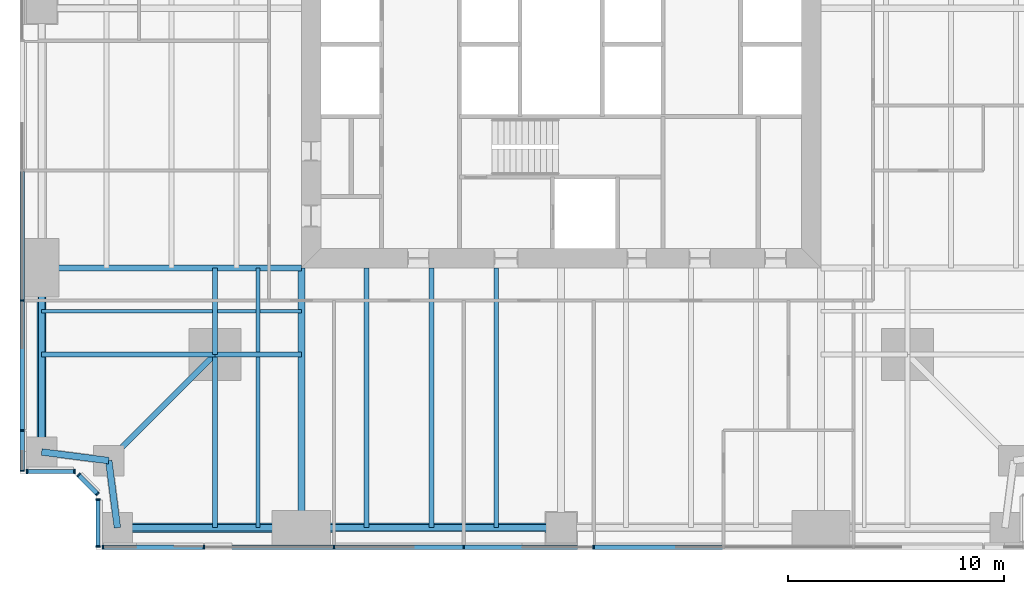
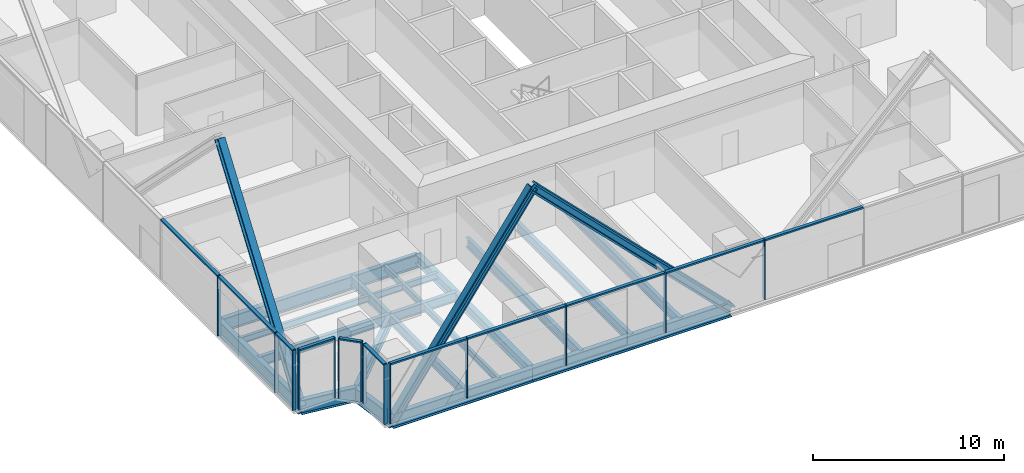
# One storey, part 2 of 13: 28 members, 20 beams, 5 elements without a shape of their own.
"""IFC4 building model written with IfcOpenShell, lengths in metres."""

from ifc_helpers import new_model, si_unit, direction, frame, origin, origin_2d, place, context, subcontext, project, spatial, rectangle, i_section, extrude, material, material_profile, profile_set, type_object, element, aggregate, save


model = new_model("IFC4")

# Units and contexts
model_context = context("Model", 3, precision=1e-05, world=origin(), true_north=direction((0.0, 1.0)))
body_context = subcontext(model_context, "Body", "Model", "MODEL_VIEW")
ifc_project = project(units=[si_unit("LENGTHUNIT", "METRE"), si_unit("AREAUNIT", "SQUARE_METRE"), si_unit("VOLUMEUNIT", "CUBIC_METRE"), si_unit("PLANEANGLEUNIT", "RADIAN"), si_unit("MASSUNIT", "GRAM", prefix="KILO")], contexts=[model_context])

# Site, building, storey
site_placement = place(None, origin())
site = spatial("IfcSite", under=ifc_project, at=site_placement, CompositionType="ELEMENT")
building_placement = place(site_placement, origin())
building = spatial("IfcBuilding", under=site, at=building_placement, Name="Fenwick Lantern Interchange", CompositionType="ELEMENT")
storey_placement = place(building_placement, frame((0.0, 0.0, 67.0)))
storey = spatial("IfcBuildingStorey", under=building, at=storey_placement, Name="L15", CompositionType="ELEMENT", Elevation=67.0)

# Beams
ifc_material_1 = material(Name="Steel ASTM A992 Grade 50", Category="steel")
ifc_material_profile_1 = material_profile(ifc_material_1, i_section(OverallWidth=0.3046875, OverallDepth=0.911865234375, WebThickness=0.015869140625, FlangeThickness=0.02392578125, at=origin_2d()), Name="W36X150")
ifc_profile_set_1 = profile_set([ifc_material_profile_1], Name="Steel ASTM A992 Grade 50")
beam_type_1 = type_object("IfcBeamType", Name="EDGE BEAM W36X150", PredefinedType="SPANDREL", material=ifc_profile_set_1)
beam_1_placement = place(storey_placement, frame((4.5, 1.0, -0.60595703125), z_axis=(1.0, 0.0, 0.0), x_axis=(0.0, 1.0, 0.0)))
element("IfcBeam", 1, at=beam_1_placement, inside=storey, type_object=beam_type_1, Name="L15/FR/S/EB1", PredefinedType="SPANDREL", context=body_context, shape_type="SweptSolid", body=[
    extrude(i_section(OverallWidth=0.3046875, OverallDepth=0.911865234375, WebThickness=0.015869140625, FlangeThickness=0.02392578125, at=origin_2d()), origin(), (0.0, 0.0, 1.0), 8.5),
])
beam_2_placement = place(storey_placement, frame((13.0, 1.0, -0.60595703125), z_axis=(1.0, 0.0, 0.0), x_axis=(0.0, 1.0, 0.0)))
element("IfcBeam", 2, at=beam_2_placement, inside=storey, type_object=beam_type_1, Name="L15/FR/S/EB2", PredefinedType="SPANDREL", context=body_context, shape_type="SweptSolid", body=[
    extrude(i_section(OverallWidth=0.3046875, OverallDepth=0.911865234375, WebThickness=0.015869140625, FlangeThickness=0.02392578125, at=origin_2d()), origin(), (0.0, 0.0, 1.0), 12.0),
])
beam_3_placement = place(storey_placement, frame((1.0, 13.0, -0.60595703125), z_axis=(0.0, -1.0, 0.0), x_axis=(1.0, 0.0, 0.0)))
element("IfcBeam", 3, at=beam_3_placement, inside=storey, type_object=beam_type_1, Name="L15/FR/W/EB4", PredefinedType="SPANDREL", context=body_context, shape_type="SweptSolid", body=[
    extrude(i_section(OverallWidth=0.3046875, OverallDepth=0.911865234375, WebThickness=0.015869140625, FlangeThickness=0.02392578125, at=origin_2d()), origin(), (0.0, 0.0, 1.0), 8.5),
])
for number, where, z_axis, x_axis, name in (
    (4, (1.0, 4.5, -0.60595703125), (0.991782342897, -0.127936641807, 0.0), (0.127936641807, 0.991782342897, 0.0), "L15/FR/W/EBR1"),
    (5, (4.10009765625, 4.10009765625, -0.60595703125), (0.127936641807, -0.991782342897, 0.0), (0.991782342897, 0.127936641807, 0.0), "L15/FR/W/EBR2"),
):
    element("IfcBeam", number, at=place(storey_placement, frame(where, z_axis=z_axis, x_axis=x_axis)), inside=storey, type_object=beam_type_1, Name=name, PredefinedType="SPANDREL", context=body_context, shape_type="SweptSolid", body=[
        extrude(i_section(OverallWidth=0.3046875, OverallDepth=0.911865234375, WebThickness=0.015869140625, FlangeThickness=0.02392578125, at=origin_2d()), origin(), (0.0, 0.0, 1.0), 3.125732421875),
    ])

# Members
ifc_material_profile_2 = material_profile(ifc_material_1, i_section(OverallWidth=0.424072265625, OverallDepth=0.47509765625, WebThickness=0.0478515625, FlangeThickness=0.0771484375, at=origin_2d()), Name="W14X426")
ifc_profile_set_2 = profile_set([ifc_material_profile_2], Name="Steel ASTM A992 Grade 50")
member_type_1 = type_object("IfcMemberType", Name="FACADE BRACE W14X426", PredefinedType="BRACE", material=ifc_profile_set_2)
for number, where, z_axis, x_axis, name in (
    (6, (4.5, 1.0, -0.60595703125), (0.57801734078, 0.0, 0.816024481102), (0.0, 1.0, 0.0), "L15/FB/S/AE"),
    (7, (1.0, 4.5, -0.60595703125), (0.0, 0.57801734078, 0.816024481102), (-1.0, 0.0, 0.0), "L15/FB/W/BE"),
):
    element("IfcMember", number, at=place(storey_placement, frame(where, z_axis=z_axis, x_axis=x_axis)), inside=storey, type_object=member_type_1, Name=name, PredefinedType="BRACE", context=body_context, shape_type="SweptSolid", body=[
        extrude(i_section(OverallWidth=0.424072265625, OverallDepth=0.47509765625, WebThickness=0.0478515625, FlangeThickness=0.0771484375, at=origin_2d()), origin(), (0.0, 0.0, 1.0), 14.705322265625),
    ])
ifc_material_profile_3 = material_profile(ifc_material_1, i_section(OverallWidth=0.44189453125, OverallDepth=0.53076171875, WebThickness=0.06591796875, FlangeThickness=0.105712890625, at=origin_2d()), Name="W14X605")
ifc_profile_set_3 = profile_set([ifc_material_profile_3], Name="Steel ASTM A992 Grade 50")
member_type_2 = type_object("IfcMemberType", Name="FACADE BRACE W14X605", PredefinedType="BRACE", material=ifc_profile_set_3)
member_1_placement = place(storey_placement, frame((25.0, 1.0, -0.60595703125), z_axis=(-0.707106781187, 0.0, 0.707106781187), x_axis=(0.0, -1.0, 0.0)))
element("IfcMember", 8, at=member_1_placement, inside=storey, type_object=member_type_2, Name="L15/FB/S/A", PredefinedType="BRACE", context=body_context, shape_type="SweptSolid", body=[
    extrude(i_section(OverallWidth=0.44189453125, OverallDepth=0.53076171875, WebThickness=0.06591796875, FlangeThickness=0.105712890625, at=origin_2d()), origin(), (0.0, 0.0, 1.0), 16.970458984375),
])

# Beams
ifc_material_profile_4 = material_profile(ifc_material_1, i_section(OverallWidth=0.22900390625, OverallDepth=0.612060546875, WebThickness=0.011962890625, FlangeThickness=0.01953125, at=origin_2d()), Name="W24X84")
ifc_profile_set_4 = profile_set([ifc_material_profile_4], Name="Steel ASTM A992 Grade 50")
beam_type_2 = type_object("IfcBeamType", Name="FLOOR BEAM W24X84", PredefinedType="BEAM", material=ifc_profile_set_4)
for number, where, z_axis, x_axis, name in (
    (9, (16.0, 1.0, -0.4560546875), (0.0, 1.0, 0.0), (-1.0, 0.0, 0.0), "L15/FR/S/R02"),
    (10, (19.0, 1.0, -0.4560546875), (0.0, 1.0, 0.0), (-1.0, 0.0, 0.0), "L15/FR/S/R03"),
    (11, (22.0, 1.0, -0.4560546875), (0.0, 1.0, 0.0), (-1.0, 0.0, 0.0), "L15/FR/S/R04"),
):
    element("IfcBeam", number, at=place(storey_placement, frame(where, z_axis=z_axis, x_axis=x_axis)), inside=storey, type_object=beam_type_2, Name=name, PredefinedType="BEAM", context=body_context, shape_type="SweptSolid", body=[
        extrude(i_section(OverallWidth=0.22900390625, OverallDepth=0.612060546875, WebThickness=0.011962890625, FlangeThickness=0.01953125, at=origin_2d()), origin(), (0.0, 0.0, 1.0), 12.0),
    ])
ifc_material_profile_5 = material_profile(ifc_material_1, i_section(OverallWidth=0.177734375, OverallDepth=0.406494140625, WebThickness=0.0078125, FlangeThickness=0.012939453125, at=origin_2d()), Name="W16X40")
ifc_profile_set_5 = profile_set([ifc_material_profile_5], Name="Steel ASTM A992 Grade 50")
beam_type_3 = type_object("IfcBeamType", Name="INFILL BEAM W16X40", PredefinedType="JOIST", material=ifc_profile_set_5)
beam_4_placement = place(storey_placement, frame((11.0, 1.0, -0.353271484375), z_axis=(0.0, 1.0, 0.0), x_axis=(-1.0, 0.0, 0.0)))
element("IfcBeam", 12, at=beam_4_placement, inside=storey, type_object=beam_type_3, Name="L15/FR/S/J1", PredefinedType="JOIST", context=body_context, shape_type="SweptSolid", body=[
    extrude(i_section(OverallWidth=0.177734375, OverallDepth=0.406494140625, WebThickness=0.0078125, FlangeThickness=0.012939453125, at=origin_2d()), origin(), (0.0, 0.0, 1.0), 7.885498046875),
])
beam_5_placement = place(storey_placement, frame((11.0, 9.114501953125, -0.353271484375), z_axis=(0.0, 1.0, 0.0), x_axis=(-1.0, 0.0, 0.0)))
element("IfcBeam", 13, at=beam_5_placement, inside=storey, type_object=beam_type_3, Name="L15/FR/S/J2", PredefinedType="JOIST", context=body_context, shape_type="SweptSolid", body=[
    extrude(i_section(OverallWidth=0.177734375, OverallDepth=0.406494140625, WebThickness=0.0078125, FlangeThickness=0.012939453125, at=origin_2d()), origin(), (0.0, 0.0, 1.0), 3.885498046875),
])
beam_6_placement = place(storey_placement, frame((1.0, 11.0, -0.353271484375), z_axis=(1.0, 0.0, 0.0), x_axis=(0.0, 1.0, 0.0)))
element("IfcBeam", 14, at=beam_6_placement, inside=storey, type_object=beam_type_3, Name="L15/FR/S/J3", PredefinedType="JOIST", context=body_context, shape_type="SweptSolid", body=[
    extrude(i_section(OverallWidth=0.177734375, OverallDepth=0.406494140625, WebThickness=0.0078125, FlangeThickness=0.012939453125, at=origin_2d()), origin(), (0.0, 0.0, 1.0), 7.885498046875),
])
beam_7_placement = place(storey_placement, frame((9.114501953125, 11.0, -0.353271484375), z_axis=(1.0, 0.0, 0.0), x_axis=(0.0, 1.0, 0.0)))
element("IfcBeam", 15, at=beam_7_placement, inside=storey, type_object=beam_type_3, Name="L15/FR/S/J4", PredefinedType="JOIST", context=body_context, shape_type="SweptSolid", body=[
    extrude(i_section(OverallWidth=0.177734375, OverallDepth=0.406494140625, WebThickness=0.0078125, FlangeThickness=0.012939453125, at=origin_2d()), origin(), (0.0, 0.0, 1.0), 1.796630859375),
])
beam_8_placement = place(storey_placement, frame((11.0888671875, 11.0, -0.353271484375), z_axis=(1.0, 0.0, 0.0), x_axis=(0.0, 1.0, 0.0)))
element("IfcBeam", 16, at=beam_8_placement, inside=storey, type_object=beam_type_3, Name="L15/FR/S/J5", PredefinedType="JOIST", context=body_context, shape_type="SweptSolid", body=[
    extrude(i_section(OverallWidth=0.177734375, OverallDepth=0.406494140625, WebThickness=0.0078125, FlangeThickness=0.012939453125, at=origin_2d()), origin(), (0.0, 0.0, 1.0), 1.9111328125),
])
ifc_material_profile_6 = material_profile(ifc_material_1, i_section(OverallWidth=0.22900390625, OverallDepth=0.612060546875, WebThickness=0.011962890625, FlangeThickness=0.01953125, at=origin_2d()), Name="W24X84")
ifc_profile_set_6 = profile_set([ifc_material_profile_6], Name="Steel ASTM A992 Grade 50")
beam_type_4 = type_object("IfcBeamType", Name="MEGA COLUMN BEAM W24X84", PredefinedType="BEAM", material=ifc_profile_set_6)
for number, where, z_axis, x_axis, name in (
    (17, (9.0, 9.0, -0.4560546875), (0.0, -1.0, 0.0), (1.0, 0.0, 0.0), "L15/FR/S/MB1"),
    (18, (9.0, 9.0, -0.4560546875), (-1.0, 0.0, 0.0), (0.0, -1.0, 0.0), "L15/FR/S/MB2"),
):
    element("IfcBeam", number, at=place(storey_placement, frame(where, z_axis=z_axis, x_axis=x_axis)), inside=storey, type_object=beam_type_4, Name=name, PredefinedType="BEAM", context=body_context, shape_type="SweptSolid", body=[
        extrude(i_section(OverallWidth=0.22900390625, OverallDepth=0.612060546875, WebThickness=0.011962890625, FlangeThickness=0.01953125, at=origin_2d()), origin(), (0.0, 0.0, 1.0), 8.0),
    ])
for number, where, z_axis, x_axis, name in (
    (19, (9.0, 9.0, -0.4560546875), (1.0, 0.0, 0.0), (0.0, 1.0, 0.0), "L15/FR/S/MB3"),
    (20, (9.0, 9.0, -0.4560546875), (0.0, 1.0, 0.0), (-1.0, 0.0, 0.0), "L15/FR/S/MB4"),
):
    element("IfcBeam", number, at=place(storey_placement, frame(where, z_axis=z_axis, x_axis=x_axis)), inside=storey, type_object=beam_type_4, Name=name, PredefinedType="BEAM", context=body_context, shape_type="SweptSolid", body=[
        extrude(i_section(OverallWidth=0.22900390625, OverallDepth=0.612060546875, WebThickness=0.011962890625, FlangeThickness=0.01953125, at=origin_2d()), origin(), (0.0, 0.0, 1.0), 4.0),
    ])
ifc_material_profile_7 = material_profile(ifc_material_1, i_section(OverallWidth=0.32763671875, OverallDepth=0.622314453125, WebThickness=0.015380859375, FlangeThickness=0.0244140625, at=origin_2d()), Name="W24X131")
ifc_profile_set_7 = profile_set([ifc_material_profile_7], Name="Steel ASTM A992 Grade 50")
beam_type_5 = type_object("IfcBeamType", Name="MOMENT-CONNECTED GIRDER W24X131", PredefinedType="BEAM", material=ifc_profile_set_7)
beam_9_placement = place(storey_placement, frame((13.0, 1.0, -0.461181640625), z_axis=(0.0, 1.0, 0.0), x_axis=(-1.0, 0.0, 0.0)))
element("IfcBeam", 21, at=beam_9_placement, inside=storey, type_object=beam_type_5, Name="L15/FR/S/R01", PredefinedType="BEAM", context=body_context, shape_type="SweptSolid", body=[
    extrude(i_section(OverallWidth=0.32763671875, OverallDepth=0.622314453125, WebThickness=0.015380859375, FlangeThickness=0.0244140625, at=origin_2d()), origin(), (0.0, 0.0, 1.0), 12.0),
])
ifc_material_profile_8 = material_profile(ifc_material_1, i_section(OverallWidth=0.2919921875, OverallDepth=0.845703125, WebThickness=0.015380859375, FlangeThickness=0.0244140625, at=origin_2d()), Name="W33X141")
ifc_profile_set_8 = profile_set([ifc_material_profile_8], Name="Steel ASTM A992 Grade 50")
beam_type_6 = type_object("IfcBeamType", Name="MOMENT-CONNECTED GIRDER W33X141", PredefinedType="BEAM", material=ifc_profile_set_8)
beam_10_placement = place(storey_placement, frame((1.0, 13.0, -0.572998046875), z_axis=(1.0, 0.0, 0.0), x_axis=(0.0, 1.0, 0.0)))
element("IfcBeam", 22, at=beam_10_placement, inside=storey, type_object=beam_type_6, Name="L15/FR/W/R03", PredefinedType="BEAM", context=body_context, shape_type="SweptSolid", body=[
    extrude(i_section(OverallWidth=0.2919921875, OverallDepth=0.845703125, WebThickness=0.015380859375, FlangeThickness=0.0244140625, at=origin_2d()), origin(), (0.0, 0.0, 1.0), 12.0),
])
ifc_material_profile_9 = material_profile(ifc_material_1, i_section(OverallWidth=0.2666015625, OverallDepth=0.7568359375, WebThickness=0.013916015625, FlangeThickness=0.019287109375, at=origin_2d()), Name="W30X108")
ifc_profile_set_9 = profile_set([ifc_material_profile_9], Name="Steel ASTM A992 Grade 50")
beam_type_7 = type_object("IfcBeamType", Name="NOTCH BEAM W30X108", PredefinedType="BEAM", material=ifc_profile_set_9)
beam_11_placement = place(storey_placement, frame((9.0, 9.0, -0.528564453125), z_axis=(-0.707106781187, -0.707106781187, 0.0), x_axis=(0.707106781187, -0.707106781187, 0.0)))
element("IfcBeam", 23, at=beam_11_placement, inside=storey, type_object=beam_type_7, Name="L15/FR/S/TG", PredefinedType="BEAM", context=body_context, shape_type="SweptSolid", body=[
    extrude(i_section(OverallWidth=0.2666015625, OverallDepth=0.7568359375, WebThickness=0.013916015625, FlangeThickness=0.019287109375, at=origin_2d()), origin(), (0.0, 0.0, 1.0), 6.929443359375),
])

# Curtain wall, members
ifc_material_2 = material(Name="Aluminium curtain wall frame", Category="aluminium")
curtain_wall_type = type_object("IfcCurtainWallType", Name="OFFICE CURTAIN WALL", PredefinedType="USERDEFINED", material=ifc_material_2)
curtain_wall_1_placement = place(storey_placement, origin())
curtain_wall_1 = element("IfcCurtainWall", 24, at=curtain_wall_1_placement, inside=storey, type_object=curtain_wall_type, Name="Office curtain wall 01", ObjectType="OFFICE CURTAIN WALL", PredefinedType="USERDEFINED")
ifc_material_3 = material(Name="Aluminium extrusion", Category="aluminium")
ifc_material_profile_10 = material_profile(ifc_material_3, rectangle(XDim=0.199951171875, YDim=0.06494140625, at=origin_2d()), Name="OFFICE CURTAIN WALL MULLION 65 X 200")
ifc_profile_set_10 = profile_set([ifc_material_profile_10], Name="Aluminium extrusion")
member_type_3 = type_object("IfcMemberType", Name="OFFICE CURTAIN WALL MULLION 65 X 200", PredefinedType="MULLION", material=ifc_profile_set_10)
member_2_placement = place(storey_placement, frame((3.83251953125, 0.10009765625, 0.0), z_axis=(0.0, 0.0, 1.0), x_axis=(0.0, 1.0, 0.0)))
member_2 = element("IfcMember", 25, at=member_2_placement, type_object=member_type_3, Name="L15/CW/01/M00", PredefinedType="MULLION", context=body_context, shape_type="SweptSolid", body=[
    extrude(rectangle(XDim=0.199951171875, YDim=0.06494140625, at=origin_2d()), origin(), (0.0, 0.0, 1.0), 3.85009765625),
])
member_3_placement = place(storey_placement, frame((8.5, 0.10009765625, 0.0), z_axis=(0.0, 0.0, 1.0), x_axis=(0.0, 1.0, 0.0)))
member_3 = element("IfcMember", 26, at=member_3_placement, type_object=member_type_3, Name="L15/CW/01/M01", PredefinedType="MULLION", context=body_context, shape_type="SweptSolid", body=[
    extrude(rectangle(XDim=0.199951171875, YDim=0.06494140625, at=origin_2d()), origin(), (0.0, 0.0, 1.0), 3.85009765625),
])
member_4_placement = place(storey_placement, frame((14.5, 0.10009765625, 0.0), z_axis=(0.0, 0.0, 1.0), x_axis=(0.0, 1.0, 0.0)))
member_4 = element("IfcMember", 27, at=member_4_placement, type_object=member_type_3, Name="L15/CW/01/M02", PredefinedType="MULLION", context=body_context, shape_type="SweptSolid", body=[
    extrude(rectangle(XDim=0.199951171875, YDim=0.06494140625, at=origin_2d()), origin(), (0.0, 0.0, 1.0), 3.85009765625),
])
member_5_placement = place(storey_placement, frame((20.5, 0.10009765625, 0.0), z_axis=(0.0, 0.0, 1.0), x_axis=(0.0, 1.0, 0.0)))
member_5 = element("IfcMember", 28, at=member_5_placement, type_object=member_type_3, Name="L15/CW/01/M03", PredefinedType="MULLION", context=body_context, shape_type="SweptSolid", body=[
    extrude(rectangle(XDim=0.199951171875, YDim=0.06494140625, at=origin_2d()), origin(), (0.0, 0.0, 1.0), 3.85009765625),
])
member_6_placement = place(storey_placement, frame((26.5, 0.10009765625, 0.0), z_axis=(0.0, 0.0, 1.0), x_axis=(0.0, 1.0, 0.0)))
member_6 = element("IfcMember", 29, at=member_6_placement, type_object=member_type_3, Name="L15/CW/01/M04", PredefinedType="MULLION", context=body_context, shape_type="SweptSolid", body=[
    extrude(rectangle(XDim=0.199951171875, YDim=0.06494140625, at=origin_2d()), origin(), (0.0, 0.0, 1.0), 3.85009765625),
])

curtain_wall_2_placement = place(storey_placement, origin())
curtain_wall_2 = element("IfcCurtainWall", 30, at=curtain_wall_2_placement, inside=storey, type_object=curtain_wall_type, Name="Office curtain wall 13", ObjectType="OFFICE CURTAIN WALL", PredefinedType="USERDEFINED")
member_7_placement = place(storey_placement, frame((0.10009765625, 11.5, 0.0), z_axis=(0.0, 0.0, 1.0), x_axis=(1.0, 0.0, 0.0)))
member_7 = element("IfcMember", 31, at=member_7_placement, type_object=member_type_3, Name="L15/CW/13/M06", PredefinedType="MULLION", context=body_context, shape_type="SweptSolid", body=[
    extrude(rectangle(XDim=0.199951171875, YDim=0.06494140625, at=origin_2d()), origin(), (0.0, 0.0, 1.0), 3.85009765625),
])
member_8_placement = place(storey_placement, frame((0.10009765625, 5.5, 0.0), z_axis=(0.0, 0.0, 1.0), x_axis=(1.0, 0.0, 0.0)))
member_8 = element("IfcMember", 32, at=member_8_placement, type_object=member_type_3, Name="L15/CW/13/M07", PredefinedType="MULLION", context=body_context, shape_type="SweptSolid", body=[
    extrude(rectangle(XDim=0.199951171875, YDim=0.06494140625, at=origin_2d()), origin(), (0.0, 0.0, 1.0), 3.85009765625),
])
member_9_placement = place(storey_placement, frame((0.10009765625, 3.632568359375, 0.0), z_axis=(0.0, 0.0, 1.0), x_axis=(1.0, 0.0, 0.0)))
member_9 = element("IfcMember", 33, at=member_9_placement, type_object=member_type_3, Name="L15/CW/13/M08", PredefinedType="MULLION", context=body_context, shape_type="SweptSolid", body=[
    extrude(rectangle(XDim=0.199951171875, YDim=0.06494140625, at=origin_2d()), origin(), (0.0, 0.0, 1.0), 3.85009765625),
])

curtain_wall_3_placement = place(storey_placement, origin())
curtain_wall_3 = element("IfcCurtainWall", 34, at=curtain_wall_3_placement, inside=storey, type_object=curtain_wall_type, Name="Office curtain wall 14", ObjectType="OFFICE CURTAIN WALL", PredefinedType="USERDEFINED")
member_10_placement = place(storey_placement, frame((0.33251953125, 3.60009765625, 0.0), z_axis=(0.0, 0.0, 1.0), x_axis=(0.0, 1.0, 0.0)))
member_10 = element("IfcMember", 35, at=member_10_placement, type_object=member_type_3, Name="L15/CW/14/M00", PredefinedType="MULLION", context=body_context, shape_type="SweptSolid", body=[
    extrude(rectangle(XDim=0.199951171875, YDim=0.06494140625, at=origin_2d()), origin(), (0.0, 0.0, 1.0), 3.85009765625),
])
member_11_placement = place(storey_placement, frame((2.509033203125, 3.60009765625, 0.0), z_axis=(0.0, 0.0, 1.0), x_axis=(0.0, 1.0, 0.0)))
member_11 = element("IfcMember", 36, at=member_11_placement, type_object=member_type_3, Name="L15/CW/14/M01", PredefinedType="MULLION", context=body_context, shape_type="SweptSolid", body=[
    extrude(rectangle(XDim=0.199951171875, YDim=0.06494140625, at=origin_2d()), origin(), (0.0, 0.0, 1.0), 3.85009765625),
])

curtain_wall_4_placement = place(storey_placement, origin())
curtain_wall_4 = element("IfcCurtainWall", 37, at=curtain_wall_4_placement, inside=storey, type_object=curtain_wall_type, Name="Office curtain wall 15", ObjectType="OFFICE CURTAIN WALL", PredefinedType="USERDEFINED")
member_12_placement = place(storey_placement, frame((2.705810546875, 3.435546875, 0.0), z_axis=(0.0, 0.0, 1.0), x_axis=(0.707106781187, 0.707106781187, 0.0)))
member_12 = element("IfcMember", 38, at=member_12_placement, type_object=member_type_3, Name="L15/CW/15/M00", PredefinedType="MULLION", context=body_context, shape_type="SweptSolid", body=[
    extrude(rectangle(XDim=0.199951171875, YDim=0.06494140625, at=origin_2d()), origin(), (0.0, 0.0, 1.0), 3.85009765625),
])
member_13_placement = place(storey_placement, frame((3.576904296875, 2.564453125, 0.0), z_axis=(0.0, 0.0, 1.0), x_axis=(0.707106781187, 0.707106781187, 0.0)))
member_13 = element("IfcMember", 39, at=member_13_placement, type_object=member_type_3, Name="L15/CW/15/M01", PredefinedType="MULLION", context=body_context, shape_type="SweptSolid", body=[
    extrude(rectangle(XDim=0.199951171875, YDim=0.06494140625, at=origin_2d()), origin(), (0.0, 0.0, 1.0), 3.85009765625),
])

curtain_wall_5_placement = place(storey_placement, origin())
curtain_wall_5 = element("IfcCurtainWall", 40, at=curtain_wall_5_placement, inside=storey, type_object=curtain_wall_type, Name="Office curtain wall 16", ObjectType="OFFICE CURTAIN WALL", PredefinedType="USERDEFINED")
member_14_placement = place(storey_placement, frame((3.60009765625, 2.308837890625, 0.0), z_axis=(0.0, 0.0, 1.0), x_axis=(1.0, 0.0, 0.0)))
member_14 = element("IfcMember", 41, at=member_14_placement, type_object=member_type_3, Name="L15/CW/16/M00", PredefinedType="MULLION", context=body_context, shape_type="SweptSolid", body=[
    extrude(rectangle(XDim=0.199951171875, YDim=0.06494140625, at=origin_2d()), origin(), (0.0, 0.0, 1.0), 3.85009765625),
])
member_15_placement = place(storey_placement, frame((3.60009765625, 0.132568359375, 0.0), z_axis=(0.0, 0.0, 1.0), x_axis=(1.0, 0.0, 0.0)))
member_15 = element("IfcMember", 42, at=member_15_placement, type_object=member_type_3, Name="L15/CW/16/M01", PredefinedType="MULLION", context=body_context, shape_type="SweptSolid", body=[
    extrude(rectangle(XDim=0.199951171875, YDim=0.06494140625, at=origin_2d()), origin(), (0.0, 0.0, 1.0), 3.85009765625),
])

# Member
ifc_material_profile_11 = material_profile(ifc_material_3, rectangle(XDim=0.199951171875, YDim=0.10009765625, at=origin_2d()), Name="OFFICE CURTAIN WALL TRANSOM 100 X 200")
ifc_profile_set_11 = profile_set([ifc_material_profile_11], Name="Aluminium extrusion")
member_type_4 = type_object("IfcMemberType", Name="OFFICE CURTAIN WALL TRANSOM 100 X 200", PredefinedType="MULLION", material=ifc_profile_set_11)
member_16_placement = place(storey_placement, frame((3.864990234375, 0.10009765625, 3.800048828125), z_axis=(1.0, 0.0, 0.0), x_axis=(0.0, 1.0, 0.0)))
member_16 = element("IfcMember", 43, at=member_16_placement, type_object=member_type_4, Name="L15/CW/01/T00", PredefinedType="MULLION", context=body_context, shape_type="SweptSolid", body=[
    extrude(rectangle(XDim=0.199951171875, YDim=0.10009765625, at=origin_2d()), origin(), (0.0, 0.0, 1.0), 4.6025390625),
])

member_17_placement = place(storey_placement, frame((8.532470703125, 0.10009765625, 3.800048828125), z_axis=(1.0, 0.0, 0.0), x_axis=(0.0, 1.0, 0.0)))
member_17 = element("IfcMember", 44, at=member_17_placement, type_object=member_type_4, Name="L15/CW/01/T01", PredefinedType="MULLION", context=body_context, shape_type="SweptSolid", body=[
    extrude(rectangle(XDim=0.199951171875, YDim=0.10009765625, at=origin_2d()), origin(), (0.0, 0.0, 1.0), 5.93505859375),
])

member_18_placement = place(storey_placement, frame((14.532470703125, 0.10009765625, 3.800048828125), z_axis=(1.0, 0.0, 0.0), x_axis=(0.0, 1.0, 0.0)))
member_18 = element("IfcMember", 45, at=member_18_placement, type_object=member_type_4, Name="L15/CW/01/T02", PredefinedType="MULLION", context=body_context, shape_type="SweptSolid", body=[
    extrude(rectangle(XDim=0.199951171875, YDim=0.10009765625, at=origin_2d()), origin(), (0.0, 0.0, 1.0), 5.93505859375),
])

member_19_placement = place(storey_placement, frame((20.532470703125, 0.10009765625, 3.800048828125), z_axis=(1.0, 0.0, 0.0), x_axis=(0.0, 1.0, 0.0)))
member_19 = element("IfcMember", 46, at=member_19_placement, type_object=member_type_4, Name="L15/CW/01/T03", PredefinedType="MULLION", context=body_context, shape_type="SweptSolid", body=[
    extrude(rectangle(XDim=0.199951171875, YDim=0.10009765625, at=origin_2d()), origin(), (0.0, 0.0, 1.0), 5.93505859375),
])

member_20_placement = place(storey_placement, frame((26.532470703125, 0.10009765625, 3.800048828125), z_axis=(1.0, 0.0, 0.0), x_axis=(0.0, 1.0, 0.0)))
member_20 = element("IfcMember", 47, at=member_20_placement, type_object=member_type_4, Name="L15/CW/01/T04", PredefinedType="MULLION", context=body_context, shape_type="SweptSolid", body=[
    extrude(rectangle(XDim=0.199951171875, YDim=0.10009765625, at=origin_2d()), origin(), (0.0, 0.0, 1.0), 5.93505859375),
])

aggregate(curtain_wall_1, [member_2, member_3, member_4, member_5, member_6, member_16, member_17, member_18, member_19, member_20])

member_21_placement = place(storey_placement, frame((0.10009765625, 17.467529296875, 3.800048828125), z_axis=(0.0, -1.0, 0.0), x_axis=(1.0, 0.0, 0.0)))
member_21 = element("IfcMember", 48, at=member_21_placement, type_object=member_type_4, Name="L15/CW/13/T05", PredefinedType="MULLION", context=body_context, shape_type="SweptSolid", body=[
    extrude(rectangle(XDim=0.199951171875, YDim=0.10009765625, at=origin_2d()), origin(), (0.0, 0.0, 1.0), 5.93505859375),
])

member_22_placement = place(storey_placement, frame((0.10009765625, 11.467529296875, 3.800048828125), z_axis=(0.0, -1.0, 0.0), x_axis=(1.0, 0.0, 0.0)))
member_22 = element("IfcMember", 49, at=member_22_placement, type_object=member_type_4, Name="L15/CW/13/T06", PredefinedType="MULLION", context=body_context, shape_type="SweptSolid", body=[
    extrude(rectangle(XDim=0.199951171875, YDim=0.10009765625, at=origin_2d()), origin(), (0.0, 0.0, 1.0), 5.93505859375),
])

member_23_placement = place(storey_placement, frame((0.10009765625, 5.467529296875, 3.800048828125), z_axis=(0.0, -1.0, 0.0), x_axis=(1.0, 0.0, 0.0)))
member_23 = element("IfcMember", 50, at=member_23_placement, type_object=member_type_4, Name="L15/CW/13/T07", PredefinedType="MULLION", context=body_context, shape_type="SweptSolid", body=[
    extrude(rectangle(XDim=0.199951171875, YDim=0.10009765625, at=origin_2d()), origin(), (0.0, 0.0, 1.0), 1.802490234375),
])

aggregate(curtain_wall_2, [member_7, member_8, member_9, member_21, member_22, member_23])

member_24_placement = place(storey_placement, frame((0.364990234375, 3.60009765625, 3.800048828125), z_axis=(1.0, 0.0, 0.0), x_axis=(0.0, 1.0, 0.0)))
member_24 = element("IfcMember", 51, at=member_24_placement, type_object=member_type_4, Name="L15/CW/14/T00", PredefinedType="MULLION", context=body_context, shape_type="SweptSolid", body=[
    extrude(rectangle(XDim=0.199951171875, YDim=0.10009765625, at=origin_2d()), origin(), (0.0, 0.0, 1.0), 2.111328125),
])

aggregate(curtain_wall_3, [member_10, member_11, member_24])

member_25_placement = place(storey_placement, frame((2.728759765625, 3.41259765625, 3.800048828125), z_axis=(0.707106781187, -0.707106781187, 0.0), x_axis=(0.707106781187, 0.707106781187, 0.0)))
member_25 = element("IfcMember", 52, at=member_25_placement, type_object=member_type_4, Name="L15/CW/15/T00", PredefinedType="MULLION", context=body_context, shape_type="SweptSolid", body=[
    extrude(rectangle(XDim=0.199951171875, YDim=0.10009765625, at=origin_2d()), origin(), (0.0, 0.0, 1.0), 1.1669921875),
])

aggregate(curtain_wall_4, [member_12, member_13, member_25])

member_26_placement = place(storey_placement, frame((3.60009765625, 2.2763671875, 3.800048828125), z_axis=(0.0, -1.0, 0.0), x_axis=(1.0, 0.0, 0.0)))
member_26 = element("IfcMember", 53, at=member_26_placement, type_object=member_type_4, Name="L15/CW/16/T00", PredefinedType="MULLION", context=body_context, shape_type="SweptSolid", body=[
    extrude(rectangle(XDim=0.199951171875, YDim=0.10009765625, at=origin_2d()), origin(), (0.0, 0.0, 1.0), 2.111328125),
])

aggregate(curtain_wall_5, [member_14, member_15, member_26])

save(model, "model.ifc")
